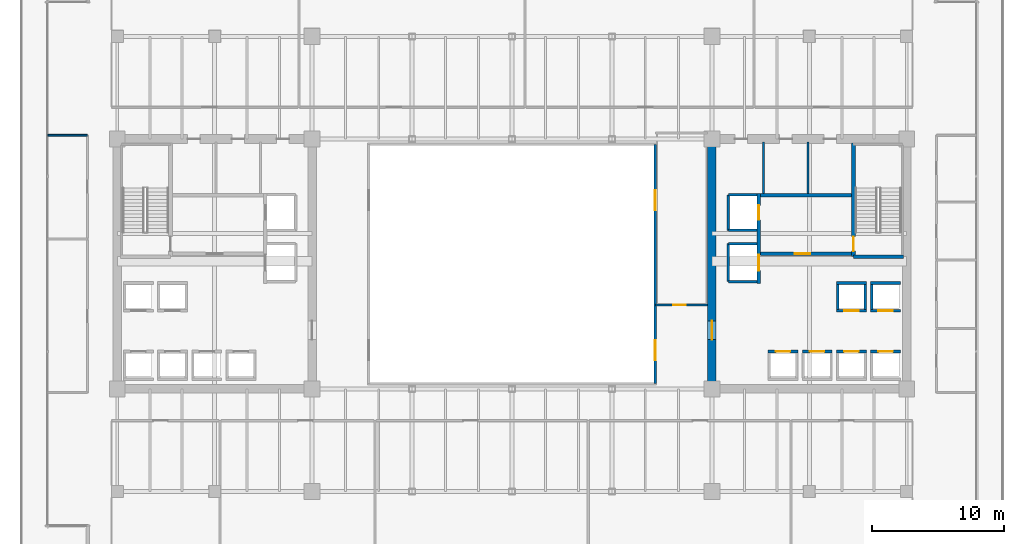
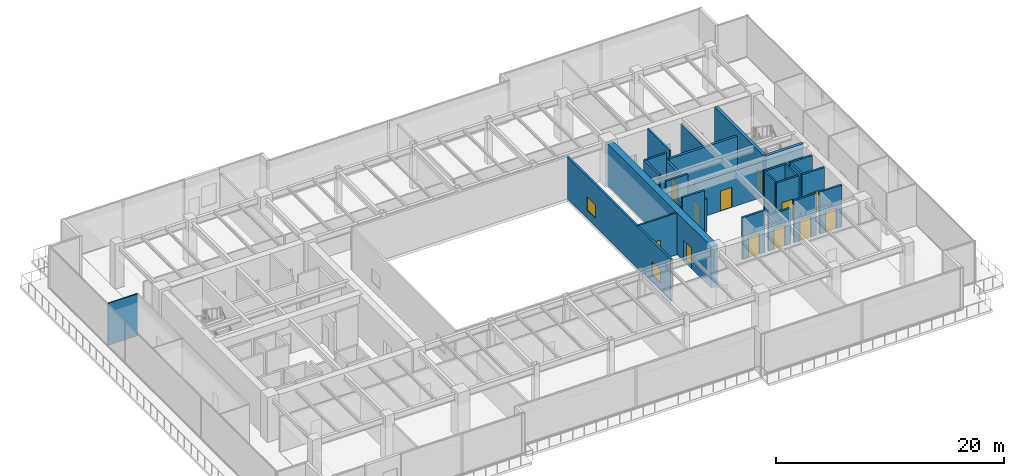
# One storey, part 27 of 33: 28 walls, 12 doors, 2 windows, 14 openings.
"""IFC4 building model written with IfcOpenShell, lengths in metres."""

from ifc_helpers import new_model, si_unit, direction, frame, frame_2d, origin, place, context, subcontext, project, spatial, rectangle, extrude, source, transform, mapped, material, layer, layer_set, type_object, type_shapes, element, fill, save


model = new_model("IFC4")

# Units and contexts
model_context = context("Model", 3, precision=1e-05, world=origin(), true_north=direction((0.0, 1.0)))
body_context = subcontext(model_context, "Body", "Model", "MODEL_VIEW")
ifc_project = project(units=[si_unit("LENGTHUNIT", "METRE"), si_unit("AREAUNIT", "SQUARE_METRE"), si_unit("VOLUMEUNIT", "CUBIC_METRE"), si_unit("PLANEANGLEUNIT", "RADIAN"), si_unit("MASSUNIT", "GRAM", prefix="KILO")], contexts=[model_context])

# Site, building, storey
site_placement = place(None, origin())
site = spatial("IfcSite", under=ifc_project, at=site_placement, CompositionType="ELEMENT")
building_placement = place(site_placement, origin())
building = spatial("IfcBuilding", under=site, at=building_placement, Name="Haelvirn Gate Laboratories", CompositionType="ELEMENT")
storey_placement = place(building_placement, frame((0.0, 0.0, 100.300048828125)))
storey = spatial("IfcBuildingStorey", under=building, at=storey_placement, Name="L24", CompositionType="ELEMENT", Elevation=100.300048828125)

# Wall, opening, door
ifc_material_1 = material(Name="Fire-rated acoustic gypsum board partition", Category="gypsum")
ifc_layer_1 = layer(ifc_material_1, 0.175048828125, Name="IW-ACOUST-180")
ifc_layer_set_1 = layer_set([ifc_layer_1], Name="Fire-rated acoustic gypsum board partition")
wall_type_1 = type_object("IfcWallType", Name="IW-ACOUST-180", PredefinedType="PARTITIONING", material=ifc_layer_set_1)
wall_1_placement = place(storey_placement, frame((48.300048828125, 21.179931640625, 0.0), z_axis=(0.0, 0.0, 1.0), x_axis=(1.0, 0.0, 0.0)))
wall_1 = element("IfcWall", 1, at=wall_1_placement, inside=storey, type_object=wall_type_1, Name="L24 Interior Wall IW-L24-ASEM-S", PredefinedType="PARTITIONING", context=body_context, shape_type="SweptSolid", body=[
    extrude(rectangle(XDim=3.974853515625, YDim=0.175048828125, at=frame_2d((1.9873046875, 0.0))), origin(), (0.0, 0.0, 1.0), 4.489990234375),
])
opening_1_placement = place(wall_1_placement, frame((1.35009765625, 0.0, 0.0)))
opening_1 = element("IfcOpeningElement", 2, at=opening_1_placement, cuts=wall_1, Name="Opening FD4", PredefinedType="OPENING", context=body_context, shape_type="SweptSolid", body=[
    extrude(rectangle(XDim=0.949951171875, YDim=2.14990234375, at=frame_2d((0.47509765625, 1.074951171875))), frame((0.0, 0.09765625, 0.0), z_axis=(0.0, -1.0, 0.0), x_axis=(1.0, 0.0, 0.0)), (0.0, 0.0, 1.0), 0.195068359375),
])
ifc_material_2 = material(Name="Fire-rated steel SM355 core service door", Category="steel")
door_type_1 = type_object("IfcDoorType", Name="DR-FD-950", OperationType="NOTDEFINED", PredefinedType="DOOR", material=ifc_material_2)
shared_shape_1 = source(origin(), body_context, "Body", "SweptSolid", [
    extrude(rectangle(XDim=0.949951171875, YDim=2.14990234375, at=frame_2d((0.47509765625, 1.074951171875))), frame((0.0, 0.02490234375, 0.0), z_axis=(0.0, -1.0, 0.0), x_axis=(1.0, 0.0, 0.0)), (0.0, 0.0, 1.0), 0.050048828125),
])
type_shapes(door_type_1, [shared_shape_1])
door_1_placement = place(opening_1_placement, origin())
door_1 = element("IfcDoor", 3, at=door_1_placement, inside=storey, type_object=door_type_1, Name="L24 Atrium Bioinformatics Suite Door", OperationType="SINGLE_SWING_LEFT", OverallHeight=2.14990234375, OverallWidth=0.949951171875, PredefinedType="DOOR", context=body_context, shape_type="MappedRepresentation", body=[
    mapped(shared_shape_1, transform((0.0, 0.0, 0.0), scale=1.0)),
])
fill(opening_1, door_1)

# Wall, openings, windows
ifc_material_3 = material(Name="Tempered fire-rated borosilicate glass & anodised aluminium", Category="aluminium")
ifc_layer_2 = layer(ifc_material_3, 0.195068359375, Name="IW-GLAZ-200")
ifc_layer_set_2 = layer_set([ifc_layer_2], Name="Tempered fire-rated borosilicate glass & anodised aluminium")
wall_type_2 = type_object("IfcWallType", Name="IW-GLAZ-200", PredefinedType="SOLIDWALL", material=ifc_layer_set_2)
wall_2_placement = place(storey_placement, frame((48.300048828125, 15.199951171875, 0.0), z_axis=(0.0, 0.0, 1.0), x_axis=(0.0, 1.0, 0.0)))
wall_2 = element("IfcWall", 4, at=wall_2_placement, inside=storey, type_object=wall_type_2, Name="L24 Interior Wall IW-L24-ATRIUM-E", PredefinedType="SOLIDWALL", context=body_context, shape_type="SweptSolid", body=[
    extrude(rectangle(XDim=18.199951171875, YDim=0.195068359375, at=frame_2d((9.10009765625, 0.0))), origin(), (0.0, 0.0, 1.0), 4.489990234375),
])
opening_2_placement = place(wall_2_placement, frame((1.800048828125, 0.0, 0.89990234375)))
opening_2 = element("IfcOpeningElement", 5, at=opening_2_placement, cuts=wall_2, Name="Opening W5", PredefinedType="OPENING", context=body_context, shape_type="SweptSolid", body=[
    extrude(rectangle(XDim=1.5, YDim=1.39990234375, at=frame_2d((0.75, 0.699951171875))), frame((0.0, 0.107421875, 0.0), z_axis=(0.0, -1.0, 0.0), x_axis=(1.0, 0.0, 0.0)), (0.0, 0.0, 1.0), 0.215087890625),
])
opening_3_placement = place(wall_2_placement, frame((13.199951171875, 0.0, 0.89990234375)))
opening_3 = element("IfcOpeningElement", 6, at=opening_3_placement, cuts=wall_2, Name="Opening W5", PredefinedType="OPENING", context=body_context, shape_type="SweptSolid", body=[
    extrude(rectangle(XDim=1.5, YDim=1.39990234375, at=frame_2d((0.75, 0.699951171875))), frame((0.0, 0.107421875, 0.0), z_axis=(0.0, -1.0, 0.0), x_axis=(1.0, 0.0, 0.0)), (0.0, 0.0, 1.0), 0.215087890625),
])
ifc_material_4 = material(Name="Fire-rated EI 120 borosilicate atrium vision glazing", Category="glass")
window_type = type_object("IfcWindowType", Name="WN-ATR-1500", PartitioningType="SINGLE_PANEL", PredefinedType="WINDOW", material=ifc_material_4)
shared_shape_2 = source(origin(), body_context, "Body", "SweptSolid", [
    extrude(rectangle(XDim=1.5, YDim=1.39990234375, at=frame_2d((0.75, 0.699951171875))), frame((0.0, 0.030029296875, 0.0), z_axis=(0.0, -1.0, 0.0), x_axis=(1.0, 0.0, 0.0)), (0.0, 0.0, 1.0), 0.06005859375),
])
type_shapes(window_type, [shared_shape_2])
window_1_placement = place(opening_2_placement, origin())
window_1 = element("IfcWindow", 7, at=window_1_placement, inside=storey, type_object=window_type, Name="L24 Atrium Observation Window 1", OverallHeight=1.39990234375, OverallWidth=1.5, PartitioningType="SINGLE_PANEL", PredefinedType="WINDOW", context=body_context, shape_type="MappedRepresentation", body=[
    mapped(shared_shape_2, transform((0.0, 0.0, 0.0), scale=1.0)),
])
fill(opening_2, window_1)
window_2_placement = place(opening_3_placement, origin())
window_2 = element("IfcWindow", 8, at=window_2_placement, inside=storey, type_object=window_type, Name="L24 Atrium Observation Window 2", OverallHeight=1.39990234375, OverallWidth=1.5, PartitioningType="SINGLE_PANEL", PredefinedType="WINDOW", context=body_context, shape_type="MappedRepresentation", body=[
    mapped(shared_shape_2, transform((0.0, 0.0, 0.0), scale=1.0)),
])
fill(opening_3, window_2)

# Walls
ifc_material_5 = material(Name="Lightweight acoustic gypsum board partition", Category="gypsum")
ifc_layer_3 = layer(ifc_material_5, 0.1201171875, Name="IW-PART-120")
ifc_layer_set_3 = layer_set([ifc_layer_3], Name="Lightweight acoustic gypsum board partition")
wall_type_3 = type_object("IfcWallType", Name="IW-PART-120", PredefinedType="PARTITIONING", material=ifc_layer_set_3)
wall_3_placement = place(storey_placement, frame((2.110107421875, 34.0849609375, 0.0), z_axis=(0.0, 0.0, 1.0), x_axis=(1.0, 0.0, 0.0)))
element("IfcWall", 9, at=wall_3_placement, inside=storey, type_object=wall_type_3, Name="L24 Interior Wall IW-L24-WCAP-N", PredefinedType="PARTITIONING", context=body_context, shape_type="SweptSolid", body=[
    extrude(rectangle(XDim=3.019775390625, YDim=0.1201171875, at=frame_2d((1.509765625, 0.0))), origin(), (0.0, 0.0, 1.0), 4.489990234375),
])
ifc_material_6 = material(Name="Cement-board restroom plumbing chase wall", Category="gypsum")
ifc_layer_4 = layer(ifc_material_6, 0.155029296875, Name="IW-PLUMB-160")
ifc_layer_set_4 = layer_set([ifc_layer_4], Name="Cement-board restroom plumbing chase wall")
wall_type_4 = type_object("IfcWallType", Name="IW-PLUMB-160", PredefinedType="PLUMBINGWALL", material=ifc_layer_set_4)
wall_4_placement = place(storey_placement, frame((59.909912109375, 29.64990234375, 0.0), z_axis=(0.0, 0.0, 1.0), x_axis=(0.0, 1.0, 0.0)))
element("IfcWall", 10, at=wall_4_placement, inside=storey, type_object=wall_type_4, Name="L24 Interior Wall IW-L24-E-CDIV-1", PredefinedType="PLUMBINGWALL", context=body_context, shape_type="SweptSolid", body=[
    extrude(rectangle(XDim=3.93017578125, YDim=0.155029296875, at=frame_2d((1.965087890625, 0.0))), origin(), (0.0, 0.0, 1.0), 3.824951171875),
])
wall_5_placement = place(storey_placement, frame((56.510009765625, 29.64990234375, 0.0), z_axis=(0.0, 0.0, 1.0), x_axis=(0.0, 1.0, 0.0)))
element("IfcWall", 11, at=wall_5_placement, inside=storey, type_object=wall_type_4, Name="L24 Interior Wall IW-L24-E-CDIV-2", PredefinedType="PLUMBINGWALL", context=body_context, shape_type="SweptSolid", body=[
    extrude(rectangle(XDim=3.93017578125, YDim=0.155029296875, at=frame_2d((1.965087890625, 0.0))), origin(), (0.0, 0.0, 1.0), 4.489990234375),
])
ifc_material_7 = material(Name="Concrete C40/50", Category="concrete")
ifc_layer_5 = layer(ifc_material_7, 0.179931640625, Name="IW-SHAFT-180")
ifc_layer_set_5 = layer_set([ifc_layer_5], Name="Concrete C40/50")
wall_type_5 = type_object("IfcWallType", Name="IW-SHAFT-180", PredefinedType="SOLIDWALL", material=ifc_layer_set_5)
for number, where, z_axis, x_axis, name in (
    (12, (64.75, 20.85009765625, 0.0), (0.0, 0.0, 1.0), (0.0, 1.0, 0.0), "L24 Interior Wall IW-L24-PL11-SD"),
    (13, (62.14990234375, 20.85009765625, 0.0), (0.0, 0.0, 1.0), (0.0, 1.0, 0.0), "L24 Interior Wall IW-L24-PL12-SD"),
    (14, (64.25, 20.85009765625, 0.0), (0.0, 0.0, 1.0), (0.0, 1.0, 0.0), "L24 Interior Wall IW-L24-PL12-SDE"),
):
    element("IfcWall", number, at=place(storey_placement, frame(where, z_axis=z_axis, x_axis=x_axis)), inside=storey, type_object=wall_type_5, Name=name, PredefinedType="SOLIDWALL", context=body_context, shape_type="SweptSolid", body=[
        extrude(rectangle(XDim=1.89990234375, YDim=0.179931640625, at=frame_2d((0.949951171875, 0.0))), origin(), (0.0, 0.0, 1.0), 4.489990234375),
    ])

# Wall, opening, door
ifc_layer_6 = layer(ifc_material_7, 0.199951171875, Name="IW-SHAFT-200")
ifc_layer_set_6 = layer_set([ifc_layer_6], Name="Concrete C40/50")
wall_type_6 = type_object("IfcWallType", Name="IW-SHAFT-200", PredefinedType="SOLIDWALL", material=ifc_layer_set_6)
wall_6_placement = place(storey_placement, frame((64.669921875, 17.64990234375, 0.0), z_axis=(0.0, 0.0, 1.0), x_axis=(1.0, 0.0, 0.0)))
wall_6 = element("IfcWall", 15, at=wall_6_placement, inside=storey, type_object=wall_type_6, Name="L24 Interior Wall IW-L24-PL3-FR", PredefinedType="SOLIDWALL", context=body_context, shape_type="SweptSolid", body=[
    extrude(rectangle(XDim=2.260009765625, YDim=0.199951171875, at=frame_2d((1.1298828125, 0.0))), origin(), (0.0, 0.0, 1.0), 4.489990234375),
])
opening_4_placement = place(wall_6_placement, frame((0.580078125, 0.0, 0.0)))
opening_4 = element("IfcOpeningElement", 16, at=opening_4_placement, cuts=wall_6, Name="Opening LD2", PredefinedType="OPENING", context=body_context, shape_type="SweptSolid", body=[
    extrude(rectangle(XDim=1.10009765625, YDim=2.219970703125, at=frame_2d((0.550048828125, 1.10986328125))), frame((0.0, 0.10986328125, 0.0), z_axis=(0.0, -1.0, 0.0), x_axis=(1.0, 0.0, 0.0)), (0.0, 0.0, 1.0), 0.219970703125),
])
ifc_material_8 = material(Name="Bronze stainless 316L sliding lift landing door")
door_type_2 = type_object("IfcDoorType", Name="DR-LD-1100", OperationType="NOTDEFINED", PredefinedType="USERDEFINED", material=ifc_material_8)
shared_shape_3 = source(origin(), body_context, "Body", "SweptSolid", [
    extrude(rectangle(XDim=1.10009765625, YDim=2.219970703125, at=frame_2d((0.550048828125, 1.10986328125))), frame((0.0, 0.02490234375, 0.0), z_axis=(0.0, -1.0, 0.0), x_axis=(1.0, 0.0, 0.0)), (0.0, 0.0, 1.0), 0.050048828125),
])
type_shapes(door_type_2, [shared_shape_3])
door_2_placement = place(opening_4_placement, origin())
door_2 = element("IfcDoor", 17, at=door_2_placement, inside=storey, type_object=door_type_2, Name="L24 Passenger Lift PL3 Landing Door", ObjectType="LANDING_DOOR", OperationType="SLIDING_TO_LEFT", OverallHeight=2.219970703125, OverallWidth=1.10009765625, PredefinedType="USERDEFINED", context=body_context, shape_type="MappedRepresentation", body=[
    mapped(shared_shape_3, transform((0.0, 0.0, 0.0), scale=1.0)),
])
fill(opening_4, door_2)

wall_7_placement = place(storey_placement, frame((62.070068359375, 17.64990234375, 0.0), z_axis=(0.0, 0.0, 1.0), x_axis=(1.0, 0.0, 0.0)))
wall_7 = element("IfcWall", 18, at=wall_7_placement, inside=storey, type_object=wall_type_6, Name="L24 Interior Wall IW-L24-PL4-FR", PredefinedType="SOLIDWALL", context=body_context, shape_type="SweptSolid", body=[
    extrude(rectangle(XDim=2.260009765625, YDim=0.199951171875, at=frame_2d((1.1298828125, 0.0))), origin(), (0.0, 0.0, 1.0), 4.489990234375),
])
opening_5_placement = place(wall_7_placement, frame((0.580078125, 0.0, 0.0)))
opening_5 = element("IfcOpeningElement", 19, at=opening_5_placement, cuts=wall_7, Name="Opening LD2", PredefinedType="OPENING", context=body_context, shape_type="SweptSolid", body=[
    extrude(rectangle(XDim=1.10009765625, YDim=2.219970703125, at=frame_2d((0.550048828125, 1.10986328125))), frame((0.0, 0.10986328125, 0.0), z_axis=(0.0, -1.0, 0.0), x_axis=(1.0, 0.0, 0.0)), (0.0, 0.0, 1.0), 0.219970703125),
])
door_3_placement = place(opening_5_placement, origin())
door_3 = element("IfcDoor", 20, at=door_3_placement, inside=storey, type_object=door_type_2, Name="L24 Passenger Lift PL4 Landing Door", ObjectType="LANDING_DOOR", OperationType="SLIDING_TO_RIGHT", OverallHeight=2.219970703125, OverallWidth=1.10009765625, PredefinedType="USERDEFINED", context=body_context, shape_type="MappedRepresentation", body=[
    mapped(shared_shape_3, transform((0.0, 0.0, 0.0), scale=1.0)),
])
fill(opening_5, door_3)

wall_8_placement = place(storey_placement, frame((59.469970703125, 17.64990234375, 0.0), z_axis=(0.0, 0.0, 1.0), x_axis=(1.0, 0.0, 0.0)))
wall_8 = element("IfcWall", 21, at=wall_8_placement, inside=storey, type_object=wall_type_6, Name="L24 Interior Wall IW-L24-PL7-FR", PredefinedType="SOLIDWALL", context=body_context, shape_type="SweptSolid", body=[
    extrude(rectangle(XDim=2.260009765625, YDim=0.199951171875, at=frame_2d((1.1298828125, 0.0))), origin(), (0.0, 0.0, 1.0), 3.824951171875),
])
opening_6_placement = place(wall_8_placement, frame((0.580078125, 0.0, 0.0)))
opening_6 = element("IfcOpeningElement", 22, at=opening_6_placement, cuts=wall_8, Name="Opening LD2", PredefinedType="OPENING", context=body_context, shape_type="SweptSolid", body=[
    extrude(rectangle(XDim=1.10009765625, YDim=2.219970703125, at=frame_2d((0.550048828125, 1.10986328125))), frame((0.0, 0.10986328125, 0.0), z_axis=(0.0, -1.0, 0.0), x_axis=(1.0, 0.0, 0.0)), (0.0, 0.0, 1.0), 0.219970703125),
])
door_4_placement = place(opening_6_placement, origin())
door_4 = element("IfcDoor", 23, at=door_4_placement, inside=storey, type_object=door_type_2, Name="L24 Passenger Lift PL7 Landing Door", ObjectType="LANDING_DOOR", OperationType="SLIDING_TO_LEFT", OverallHeight=2.219970703125, OverallWidth=1.10009765625, PredefinedType="USERDEFINED", context=body_context, shape_type="MappedRepresentation", body=[
    mapped(shared_shape_3, transform((0.0, 0.0, 0.0), scale=1.0)),
])
fill(opening_6, door_4)

wall_9_placement = place(storey_placement, frame((56.8701171875, 17.64990234375, 0.0), z_axis=(0.0, 0.0, 1.0), x_axis=(1.0, 0.0, 0.0)))
wall_9 = element("IfcWall", 24, at=wall_9_placement, inside=storey, type_object=wall_type_6, Name="L24 Interior Wall IW-L24-PL8-FR", PredefinedType="SOLIDWALL", context=body_context, shape_type="SweptSolid", body=[
    extrude(rectangle(XDim=2.259765625, YDim=0.199951171875, at=frame_2d((1.1298828125, 0.0))), origin(), (0.0, 0.0, 1.0), 4.489990234375),
])
opening_7_placement = place(wall_9_placement, frame((0.580078125, 0.0, 0.0)))
opening_7 = element("IfcOpeningElement", 25, at=opening_7_placement, cuts=wall_9, Name="Opening LD2", PredefinedType="OPENING", context=body_context, shape_type="SweptSolid", body=[
    extrude(rectangle(XDim=1.10009765625, YDim=2.219970703125, at=frame_2d((0.550048828125, 1.10986328125))), frame((0.0, 0.10986328125, 0.0), z_axis=(0.0, -1.0, 0.0), x_axis=(1.0, 0.0, 0.0)), (0.0, 0.0, 1.0), 0.219970703125),
])
door_5_placement = place(opening_7_placement, origin())
door_5 = element("IfcDoor", 26, at=door_5_placement, inside=storey, type_object=door_type_2, Name="L24 Passenger Lift PL8 Landing Door", ObjectType="LANDING_DOOR", OperationType="SLIDING_TO_RIGHT", OverallHeight=2.219970703125, OverallWidth=1.10009765625, PredefinedType="USERDEFINED", context=body_context, shape_type="MappedRepresentation", body=[
    mapped(shared_shape_3, transform((0.0, 0.0, 0.0), scale=1.0)),
])
fill(opening_7, door_5)

wall_10_placement = place(storey_placement, frame((64.669921875, 20.75, 0.0), z_axis=(0.0, 0.0, 1.0), x_axis=(1.0, 0.0, 0.0)))
wall_10 = element("IfcWall", 27, at=wall_10_placement, inside=storey, type_object=wall_type_6, Name="L24 Interior Wall IW-L24-PL11-FR", PredefinedType="SOLIDWALL", context=body_context, shape_type="SweptSolid", body=[
    extrude(rectangle(XDim=2.260009765625, YDim=0.199951171875, at=frame_2d((1.1298828125, 0.0))), origin(), (0.0, 0.0, 1.0), 4.489990234375),
])
opening_8_placement = place(wall_10_placement, frame((0.580078125, 0.0, 0.0)))
opening_8 = element("IfcOpeningElement", 28, at=opening_8_placement, cuts=wall_10, Name="Opening LD2", PredefinedType="OPENING", context=body_context, shape_type="SweptSolid", body=[
    extrude(rectangle(XDim=1.10009765625, YDim=2.219970703125, at=frame_2d((0.550048828125, 1.10986328125))), frame((0.0, 0.10986328125, 0.0), z_axis=(0.0, -1.0, 0.0), x_axis=(1.0, 0.0, 0.0)), (0.0, 0.0, 1.0), 0.219970703125),
])
door_6_placement = place(opening_8_placement, origin())
door_6 = element("IfcDoor", 29, at=door_6_placement, inside=storey, type_object=door_type_2, Name="L24 Passenger Lift PL11 Landing Door", ObjectType="LANDING_DOOR", OperationType="SLIDING_TO_LEFT", OverallHeight=2.219970703125, OverallWidth=1.10009765625, PredefinedType="USERDEFINED", context=body_context, shape_type="MappedRepresentation", body=[
    mapped(shared_shape_3, transform((0.0, 0.0, 0.0), scale=1.0)),
])
fill(opening_8, door_6)

# Wall
wall_11_placement = place(storey_placement, frame((64.669921875, 22.85009765625, 0.0), z_axis=(0.0, 0.0, 1.0), x_axis=(1.0, 0.0, 0.0)))
element("IfcWall", 30, at=wall_11_placement, inside=storey, type_object=wall_type_6, Name="L24 Interior Wall IW-L24-PL11-BK", PredefinedType="SOLIDWALL", context=body_context, shape_type="SweptSolid", body=[
    extrude(rectangle(XDim=2.260009765625, YDim=0.199951171875, at=frame_2d((1.1298828125, 0.0))), origin(), (0.0, 0.0, 1.0), 4.489990234375),
])

# Wall, opening, door
wall_12_placement = place(storey_placement, frame((62.070068359375, 20.75, 0.0), z_axis=(0.0, 0.0, 1.0), x_axis=(1.0, 0.0, 0.0)))
wall_12 = element("IfcWall", 31, at=wall_12_placement, inside=storey, type_object=wall_type_6, Name="L24 Interior Wall IW-L24-PL12-FR", PredefinedType="SOLIDWALL", context=body_context, shape_type="SweptSolid", body=[
    extrude(rectangle(XDim=2.260009765625, YDim=0.199951171875, at=frame_2d((1.1298828125, 0.0))), origin(), (0.0, 0.0, 1.0), 4.489990234375),
])
opening_9_placement = place(wall_12_placement, frame((0.580078125, 0.0, 0.0)))
opening_9 = element("IfcOpeningElement", 32, at=opening_9_placement, cuts=wall_12, Name="Opening LD2", PredefinedType="OPENING", context=body_context, shape_type="SweptSolid", body=[
    extrude(rectangle(XDim=1.10009765625, YDim=2.219970703125, at=frame_2d((0.550048828125, 1.10986328125))), frame((0.0, 0.10986328125, 0.0), z_axis=(0.0, -1.0, 0.0), x_axis=(1.0, 0.0, 0.0)), (0.0, 0.0, 1.0), 0.219970703125),
])
door_7_placement = place(opening_9_placement, origin())
door_7 = element("IfcDoor", 33, at=door_7_placement, inside=storey, type_object=door_type_2, Name="L24 Passenger Lift PL12 Landing Door", ObjectType="LANDING_DOOR", OperationType="SLIDING_TO_RIGHT", OverallHeight=2.219970703125, OverallWidth=1.10009765625, PredefinedType="USERDEFINED", context=body_context, shape_type="MappedRepresentation", body=[
    mapped(shared_shape_3, transform((0.0, 0.0, 0.0), scale=1.0)),
])
fill(opening_9, door_7)

# Walls
wall_13_placement = place(storey_placement, frame((62.070068359375, 22.85009765625, 0.0), z_axis=(0.0, 0.0, 1.0), x_axis=(1.0, 0.0, 0.0)))
element("IfcWall", 34, at=wall_13_placement, inside=storey, type_object=wall_type_6, Name="L24 Interior Wall IW-L24-PL12-BK", PredefinedType="SOLIDWALL", context=body_context, shape_type="SweptSolid", body=[
    extrude(rectangle(XDim=2.260009765625, YDim=0.199951171875, at=frame_2d((1.1298828125, 0.0))), origin(), (0.0, 0.0, 1.0), 4.489990234375),
])
wall_14_placement = place(storey_placement, frame((53.85009765625, 26.85009765625, 0.0), z_axis=(0.0, 0.0, 1.0), x_axis=(0.0, 1.0, 0.0)))
element("IfcWall", 35, at=wall_14_placement, inside=storey, type_object=wall_type_6, Name="L24 Interior Wall IW-L24-FL2-BK", PredefinedType="SOLIDWALL", context=body_context, shape_type="SweptSolid", body=[
    extrude(rectangle(XDim=2.699951171875, YDim=0.199951171875, at=frame_2d((1.35009765625, 0.0))), origin(), (0.0, 0.0, 1.0), 4.489990234375),
])
wall_15_placement = place(storey_placement, frame((53.85009765625, 29.550048828125, 0.0), z_axis=(0.0, 0.0, 1.0), x_axis=(1.0, 0.0, 0.0)))
element("IfcWall", 36, at=wall_15_placement, inside=storey, type_object=wall_type_6, Name="L24 Interior Wall IW-L24-FL2-N", PredefinedType="SOLIDWALL", context=body_context, shape_type="SweptSolid", body=[
    extrude(rectangle(XDim=2.18994140625, YDim=0.199951171875, at=frame_2d((1.094970703125, 0.0))), origin(), (0.0, 0.0, 1.0), 4.489990234375),
])
wall_16_placement = place(storey_placement, frame((53.85009765625, 26.85009765625, 0.0), z_axis=(0.0, 0.0, 1.0), x_axis=(1.0, 0.0, 0.0)))
element("IfcWall", 37, at=wall_16_placement, inside=storey, type_object=wall_type_6, Name="L24 Interior Wall IW-L24-FL2-S", PredefinedType="SOLIDWALL", context=body_context, shape_type="SweptSolid", body=[
    extrude(rectangle(XDim=2.18994140625, YDim=0.199951171875, at=frame_2d((1.094970703125, 0.0))), origin(), (0.0, 0.0, 1.0), 3.886962890625),
])
wall_17_placement = place(storey_placement, frame((53.85009765625, 22.949951171875, 0.0), z_axis=(0.0, 0.0, 1.0), x_axis=(0.0, 1.0, 0.0)))
element("IfcWall", 38, at=wall_17_placement, inside=storey, type_object=wall_type_6, Name="L24 Interior Wall IW-L24-SL2-BK", PredefinedType="SOLIDWALL", context=body_context, shape_type="SweptSolid", body=[
    extrude(rectangle(XDim=2.900146484375, YDim=0.199951171875, at=frame_2d((1.4501953125, 0.0))), origin(), (0.0, 0.0, 1.0), 3.574951171875),
])
for number, where, z_axis, x_axis, name in (
    (39, (53.85009765625, 25.85009765625, 0.0), (0.0, 0.0, 1.0), (1.0, 0.0, 0.0), "L24 Interior Wall IW-L24-SL2-N"),
    (40, (53.85009765625, 22.949951171875, 0.0), (0.0, 0.0, 1.0), (1.0, 0.0, 0.0), "L24 Interior Wall IW-L24-SL2-S"),
):
    element("IfcWall", number, at=place(storey_placement, frame(where, z_axis=z_axis, x_axis=x_axis)), inside=storey, type_object=wall_type_6, Name=name, PredefinedType="SOLIDWALL", context=body_context, shape_type="SweptSolid", body=[
        extrude(rectangle(XDim=2.18994140625, YDim=0.199951171875, at=frame_2d((1.094970703125, 0.0))), origin(), (0.0, 0.0, 1.0), 4.489990234375),
    ])

# Wall, opening, door
ifc_layer_7 = layer(ifc_material_7, 0.239990234375, Name="IW-SHAFT-240")
ifc_layer_set_7 = layer_set([ifc_layer_7], Name="Concrete C40/50")
wall_type_7 = type_object("IfcWallType", Name="IW-SHAFT-240", PredefinedType="SOLIDWALL", material=ifc_layer_set_7)
wall_18_placement = place(storey_placement, frame((56.280029296875, 25.080078125, 0.0), z_axis=(0.0, 0.0, 1.0), x_axis=(1.0, 0.0, 0.0)))
wall_18 = element("IfcWall", 41, at=wall_18_placement, inside=storey, type_object=wall_type_7, Name="L24 Interior Wall IW-L24-E-FF-S", PredefinedType="SOLIDWALL", context=body_context, shape_type="SweptSolid", body=[
    extrude(rectangle(XDim=6.919921875, YDim=0.239990234375, at=frame_2d((3.4599609375, 0.0))), origin(), (0.0, 0.0, 1.0), 3.824951171875),
])
opening_10_placement = place(wall_18_placement, frame((2.60009765625, 0.0, 0.0)))
opening_10 = element("IfcOpeningElement", 42, at=opening_10_placement, cuts=wall_18, Name="Opening FD2", PredefinedType="OPENING", context=body_context, shape_type="SweptSolid", body=[
    extrude(rectangle(XDim=1.199951171875, YDim=2.159912109375, at=frame_2d((0.60009765625, 1.080078125))), frame((0.0, 0.1298828125, 0.0), z_axis=(0.0, -1.0, 0.0), x_axis=(1.0, 0.0, 0.0)), (0.0, 0.0, 1.0), 0.260009765625),
])
ifc_material_9 = material(Name="Fire-rated steel SM355 compartment door", Category="steel")
door_type_3 = type_object("IfcDoorType", Name="DR-FD-1200", OperationType="NOTDEFINED", PredefinedType="DOOR", material=ifc_material_9)
shared_shape_4 = source(origin(), body_context, "Body", "SweptSolid", [
    extrude(rectangle(XDim=1.199951171875, YDim=2.159912109375, at=frame_2d((0.60009765625, 1.080078125))), frame((0.0, 0.02490234375, 0.0), z_axis=(0.0, -1.0, 0.0), x_axis=(1.0, 0.0, 0.0)), (0.0, 0.0, 1.0), 0.050048828125),
])
type_shapes(door_type_3, [shared_shape_4])
door_8_placement = place(opening_10_placement, origin())
door_8 = element("IfcDoor", 43, at=door_8_placement, inside=storey, type_object=door_type_3, Name="L24 East Firefighting Lobby Door", OperationType="SINGLE_SWING_LEFT", OverallHeight=2.159912109375, OverallWidth=1.199951171875, PredefinedType="DOOR", context=body_context, shape_type="MappedRepresentation", body=[
    mapped(shared_shape_4, transform((0.0, 0.0, 0.0), scale=1.0)),
])
fill(opening_10, door_8)

# Wall
wall_19_placement = place(storey_placement, frame((56.280029296875, 29.52001953125, 0.0), z_axis=(0.0, 0.0, 1.0), x_axis=(1.0, 0.0, 0.0)))
element("IfcWall", 44, at=wall_19_placement, inside=storey, type_object=wall_type_7, Name="L24 Interior Wall IW-L24-E-FF-N", PredefinedType="SOLIDWALL", context=body_context, shape_type="SweptSolid", body=[
    extrude(rectangle(XDim=6.919921875, YDim=0.239990234375, at=frame_2d((3.4599609375, 0.0))), origin(), (0.0, 0.0, 1.0), 3.824951171875),
])

# Wall, openings, doors
wall_20_placement = place(storey_placement, frame((56.159912109375, 22.800048828125, 0.0), z_axis=(0.0, 0.0, 1.0), x_axis=(0.0, 1.0, 0.0)))
wall_20 = element("IfcWall", 45, at=wall_20_placement, inside=storey, type_object=wall_type_7, Name="L24 Interior Wall IW-L24-E-FF-E", PredefinedType="SOLIDWALL", context=body_context, shape_type="SweptSolid", body=[
    extrude(rectangle(XDim=6.849853515625, YDim=0.239990234375, at=frame_2d((3.4248046875, 0.0))), origin(), (0.0, 0.0, 1.0), 3.574951171875),
])
opening_11_placement = place(wall_20_placement, frame((4.85009765625, 0.0, 0.0)))
opening_11 = element("IfcOpeningElement", 46, at=opening_11_placement, cuts=wall_20, Name="Opening LD2", PredefinedType="OPENING", context=body_context, shape_type="SweptSolid", body=[
    extrude(rectangle(XDim=1.10009765625, YDim=2.219970703125, at=frame_2d((0.550048828125, 1.10986328125))), frame((0.0, 0.1298828125, 0.0), z_axis=(0.0, -1.0, 0.0), x_axis=(1.0, 0.0, 0.0)), (0.0, 0.0, 1.0), 0.260009765625),
])
opening_12_placement = place(wall_20_placement, frame((1.0, 0.0, 0.0)))
opening_12 = element("IfcOpeningElement", 47, at=opening_12_placement, cuts=wall_20, Name="Opening LD1", PredefinedType="OPENING", context=body_context, shape_type="SweptSolid", body=[
    extrude(rectangle(XDim=1.199951171875, YDim=2.219970703125, at=frame_2d((0.60009765625, 1.10986328125))), frame((0.0, 0.1298828125, 0.0), z_axis=(0.0, -1.0, 0.0), x_axis=(1.0, 0.0, 0.0)), (0.0, 0.0, 1.0), 0.260009765625),
])
door_9_placement = place(opening_11_placement, origin())
door_9 = element("IfcDoor", 48, at=door_9_placement, inside=storey, type_object=door_type_2, Name="L24 Firefighting Lift FL2 Landing Door", ObjectType="LANDING_DOOR", OperationType="SLIDING_TO_RIGHT", OverallHeight=2.219970703125, OverallWidth=1.10009765625, PredefinedType="USERDEFINED", context=body_context, shape_type="MappedRepresentation", body=[
    mapped(shared_shape_3, transform((0.0, 0.0, 0.0), scale=1.0)),
])
fill(opening_11, door_9)
ifc_material_10 = material(Name="Stainless steel 316L sliding goods landing door", Category="steel")
door_type_4 = type_object("IfcDoorType", Name="DR-LD-1200", OperationType="NOTDEFINED", PredefinedType="USERDEFINED", material=ifc_material_10)
shared_shape_5 = source(origin(), body_context, "Body", "SweptSolid", [
    extrude(rectangle(XDim=1.199951171875, YDim=2.219970703125, at=frame_2d((0.60009765625, 1.10986328125))), frame((0.0, 0.02490234375, 0.0), z_axis=(0.0, -1.0, 0.0), x_axis=(1.0, 0.0, 0.0)), (0.0, 0.0, 1.0), 0.050048828125),
])
type_shapes(door_type_4, [shared_shape_5])
door_10_placement = place(opening_12_placement, origin())
door_10 = element("IfcDoor", 49, at=door_10_placement, inside=storey, type_object=door_type_4, Name="L24 Service Lift SL2 Landing Door", ObjectType="LANDING_DOOR", OperationType="SLIDING_TO_LEFT", OverallHeight=2.219970703125, OverallWidth=1.199951171875, PredefinedType="USERDEFINED", context=body_context, shape_type="MappedRepresentation", body=[
    mapped(shared_shape_5, transform((0.0, 0.0, 0.0), scale=1.0)),
])
fill(opening_12, door_10)

# Wall, opening, door
ifc_material_11 = material(Name="Concrete C60/75", Category="concrete")
ifc_layer_8 = layer(ifc_material_11, 0.64990234375, Name="SW-CORE-650")
ifc_layer_set_8 = layer_set([ifc_layer_8], Name="Concrete C60/75")
wall_type_8 = type_object("IfcWallType", Name="SW-CORE-650", PredefinedType="SHEAR", material=ifc_layer_set_8)
wall_21_placement = place(storey_placement, frame((52.60009765625, 15.125, 0.0), z_axis=(0.0, 0.0, 1.0), x_axis=(0.0, 1.0, 0.0)))
wall_21 = element("IfcWall", 50, at=wall_21_placement, inside=storey, type_object=wall_type_8, Name="L24 E Core Shear Wall W", PredefinedType="SHEAR", context=body_context, shape_type="SweptSolid", body=[
    extrude(rectangle(XDim=18.35009765625, YDim=0.64990234375, at=frame_2d((9.175048828125, 0.0))), origin(), (0.0, 0.0, 1.0), 4.489990234375),
])
opening_13_placement = place(wall_21_placement, frame((3.425048828125, 0.0, 0.0)))
opening_13 = element("IfcOpeningElement", 51, at=opening_13_placement, cuts=wall_21, Name="Opening FD1", PredefinedType="OPENING", context=body_context, shape_type="SweptSolid", body=[
    extrude(rectangle(XDim=1.419921875, YDim=2.199951171875, at=frame_2d((0.7099609375, 1.10009765625))), frame((0.0, 0.3349609375, 0.0), z_axis=(0.0, -1.0, 0.0), x_axis=(1.0, 0.0, 0.0)), (0.0, 0.0, 1.0), 0.669921875),
])
ifc_material_12 = material(Name="Fire-rated double steel SM355 lobby door", Category="steel")
door_type_5 = type_object("IfcDoorType", Name="DR-FD-1400", OperationType="NOTDEFINED", PredefinedType="DOOR", material=ifc_material_12)
shared_shape_6 = source(origin(), body_context, "Body", "SweptSolid", [
    extrude(rectangle(XDim=1.419921875, YDim=2.199951171875, at=frame_2d((0.7099609375, 1.10009765625))), frame((0.0, 0.02490234375, 0.0), z_axis=(0.0, -1.0, 0.0), x_axis=(1.0, 0.0, 0.0)), (0.0, 0.0, 1.0), 0.050048828125),
])
type_shapes(door_type_5, [shared_shape_6])
door_11_placement = place(opening_13_placement, origin())
door_11 = element("IfcDoor", 52, at=door_11_placement, inside=storey, type_object=door_type_5, Name="L24 East Core Lift Lobby Fire Door", OperationType="DOUBLE_DOOR_SINGLE_SWING", OverallHeight=2.199951171875, OverallWidth=1.419921875, PredefinedType="DOOR", context=body_context, shape_type="MappedRepresentation", body=[
    mapped(shared_shape_6, transform((0.0, 0.0, 0.0), scale=1.0)),
])
fill(opening_13, door_11)

ifc_material_13 = material(Name="Concrete C50/60", Category="concrete")
ifc_layer_9 = layer(ifc_material_13, 0.300048828125, Name="SW-STAIR-300")
ifc_layer_set_9 = layer_set([ifc_layer_9], Name="Concrete C50/60")
wall_type_9 = type_object("IfcWallType", Name="SW-STAIR-300", PredefinedType="SHEAR", material=ifc_layer_set_9)
wall_22_placement = place(storey_placement, frame((63.35009765625, 24.85009765625, 0.0), z_axis=(0.0, 0.0, 1.0), x_axis=(0.0, 1.0, 0.0)))
wall_22 = element("IfcWall", 53, at=wall_22_placement, inside=storey, type_object=wall_type_9, Name="L24 E Core Stair Shaft Structural Wall IN", PredefinedType="SHEAR", context=body_context, shape_type="SweptSolid", body=[
    extrude(rectangle(XDim=8.6298828125, YDim=0.300048828125, at=frame_2d((4.31494140625, 0.0))), origin(), (0.0, 0.0, 1.0), 4.489990234375),
])
opening_14_placement = place(wall_22_placement, frame((0.419921875, 0.0, 0.0)))
opening_14 = element("IfcOpeningElement", 54, at=opening_14_placement, cuts=wall_22, Name="Opening FD3", PredefinedType="OPENING", context=body_context, shape_type="SweptSolid", body=[
    extrude(rectangle(XDim=1.10009765625, YDim=2.14990234375, at=frame_2d((0.550048828125, 1.074951171875))), frame((0.0, 0.16015625, 0.0), z_axis=(0.0, -1.0, 0.0), x_axis=(1.0, 0.0, 0.0)), (0.0, 0.0, 1.0), 0.320068359375),
])
ifc_material_14 = material(Name="Fire-rated steel SM355 escape stair door", Category="steel")
door_type_6 = type_object("IfcDoorType", Name="DR-FD-1100", OperationType="NOTDEFINED", PredefinedType="DOOR", material=ifc_material_14)
shared_shape_7 = source(origin(), body_context, "Body", "SweptSolid", [
    extrude(rectangle(XDim=1.10009765625, YDim=2.14990234375, at=frame_2d((0.550048828125, 1.074951171875))), frame((0.0, 0.02490234375, 0.0), z_axis=(0.0, -1.0, 0.0), x_axis=(1.0, 0.0, 0.0)), (0.0, 0.0, 1.0), 0.050048828125),
])
type_shapes(door_type_6, [shared_shape_7])
door_12_placement = place(opening_14_placement, origin())
door_12 = element("IfcDoor", 55, at=door_12_placement, inside=storey, type_object=door_type_6, Name="L24 Escape Stair ST2 Fire Door", OperationType="SINGLE_SWING_RIGHT", OverallHeight=2.14990234375, OverallWidth=1.10009765625, PredefinedType="DOOR", context=body_context, shape_type="MappedRepresentation", body=[
    mapped(shared_shape_7, transform((0.0, 0.0, 0.0), scale=1.0)),
])
fill(opening_14, door_12)

# Wall
wall_23_placement = place(storey_placement, frame((63.35009765625, 24.85009765625, 0.0), z_axis=(0.0, 0.0, 1.0), x_axis=(1.0, 0.0, 0.0)))
element("IfcWall", 56, at=wall_23_placement, inside=storey, type_object=wall_type_9, Name="L24 E Core Stair Shaft Structural Wall S", PredefinedType="SHEAR", context=body_context, shape_type="SweptSolid", body=[
    extrude(rectangle(XDim=3.7998046875, YDim=0.300048828125, at=frame_2d((1.89990234375, 0.0))), origin(), (0.0, 0.0, 1.0), 4.489990234375),
])

save(model, "model.ifc")
